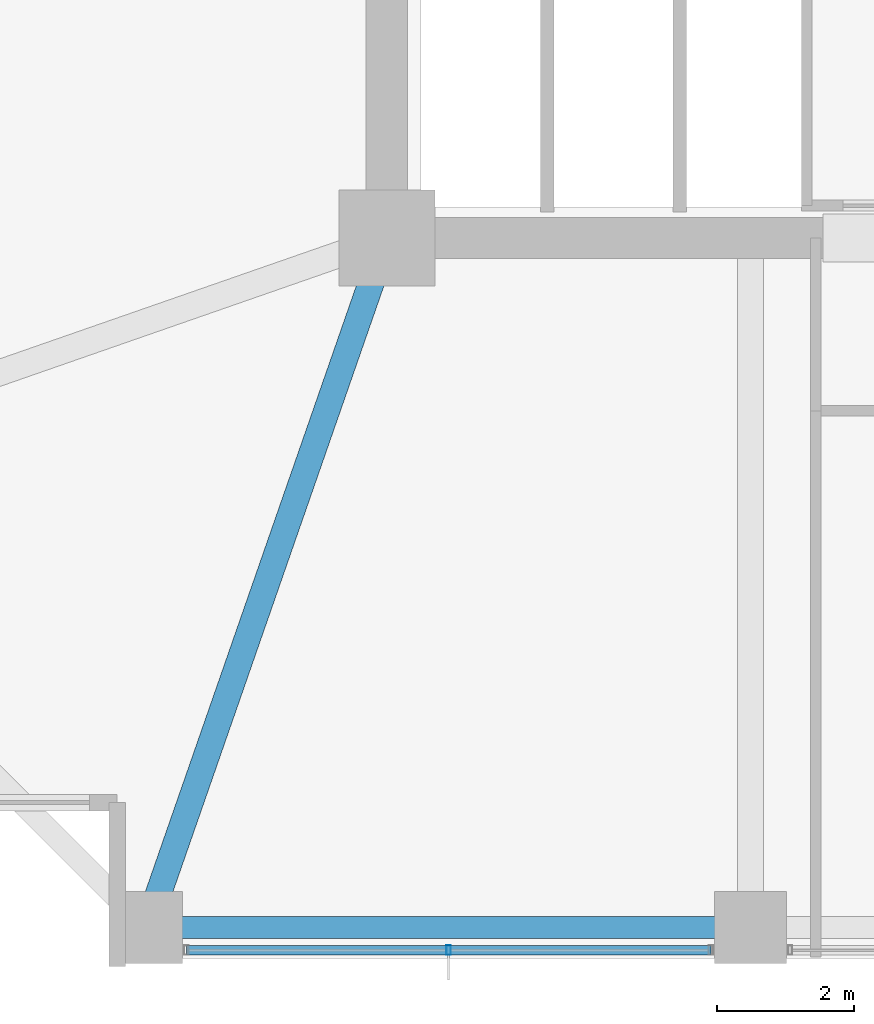
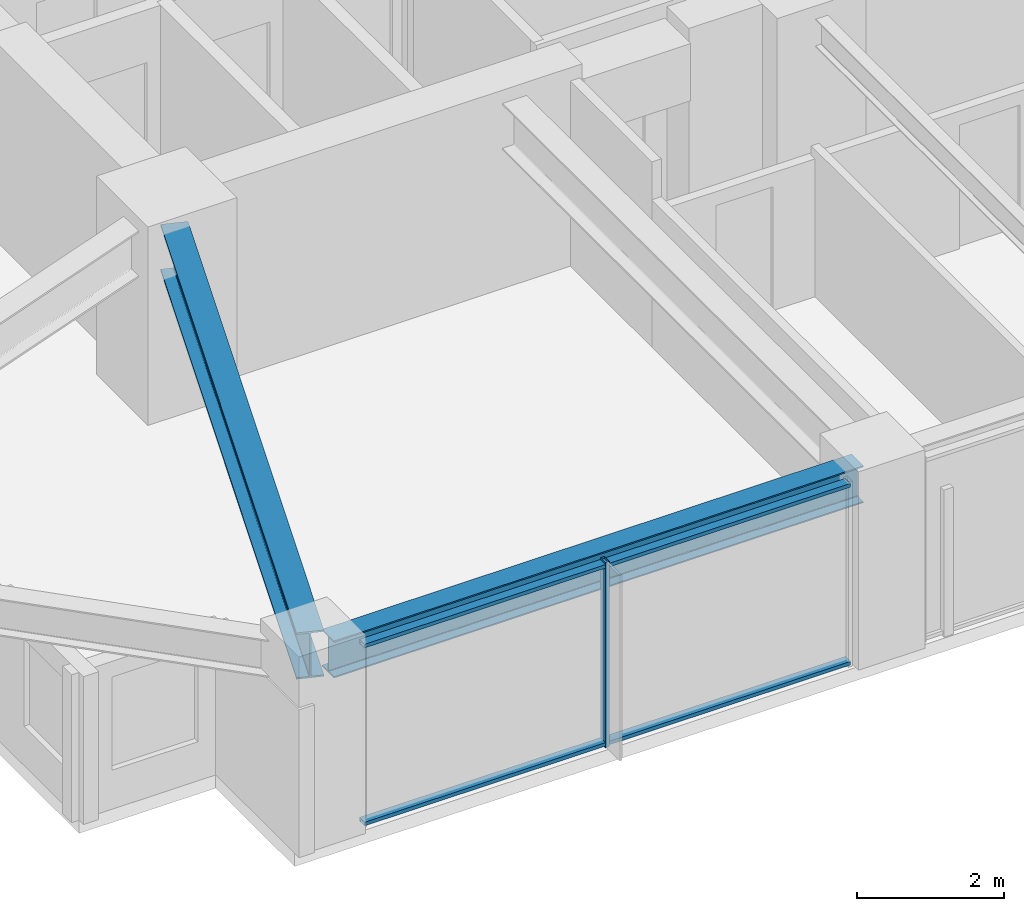
# One storey, part 3 of 36: 3 members, 2 beams, 1 element without a shape of its own.
"""IFC4 building model written with IfcOpenShell, lengths in metres."""

from ifc_helpers import new_model, si_unit, direction, frame, origin, origin_2d, place, context, subcontext, project, spatial, hollow_rectangle, i_section, extrude, material, material_profile, profile_set, type_object, element, aggregate, save


model = new_model("IFC4")

# Units and contexts
model_context = context("Model", 3, precision=1e-05, world=origin(), true_north=direction((0.0, 1.0)))
body_context = subcontext(model_context, "Body", "Model", "MODEL_VIEW")
ifc_project = project(units=[si_unit("LENGTHUNIT", "METRE"), si_unit("AREAUNIT", "SQUARE_METRE"), si_unit("VOLUMEUNIT", "CUBIC_METRE"), si_unit("PLANEANGLEUNIT", "RADIAN"), si_unit("MASSUNIT", "GRAM", prefix="KILO")], contexts=[model_context])

# Site, building, storey
site_placement = place(None, origin())
site = spatial("IfcSite", under=ifc_project, at=site_placement, CompositionType="ELEMENT")
building_placement = place(site_placement, origin())
building = spatial("IfcBuilding", under=site, at=building_placement, Name="Kolvaren Belvedere", CompositionType="ELEMENT")
storey_placement = place(building_placement, frame((0.0, 0.0, 92.0)))
storey = spatial("IfcBuildingStorey", under=building, at=storey_placement, Name="L26", CompositionType="ELEMENT", Elevation=92.0)

# Beams
ifc_material_1 = material(Name="Structural steel ASTM A992 Grade 50", Category="steel")
ifc_material_profile_1 = material_profile(ifc_material_1, i_section(OverallWidth=0.381103515625, OverallDepth=0.77294921875, WebThickness=0.0166015625, FlangeThickness=0.027099609375, FilletRadius=0.02392578125, at=origin_2d()), Name="W30X173")
ifc_profile_set_1 = profile_set([ifc_material_profile_1], Name="Structural steel ASTM A992 Grade 50")
beam_type_1 = type_object("IfcBeamType", Name="BM-GIRD-W30X173", PredefinedType="BEAM", material=ifc_profile_set_1)
beam_1_placement = place(storey_placement, frame((-10.080810546875, -10.41943359375, 2.693603515625), z_axis=(-0.328880894453, -0.944371408538, 0.0), x_axis=(0.944371408538, -0.328880894453, 0.0)))
element("IfcBeam", 1, at=beam_1_placement, inside=storey, type_object=beam_type_1, Name="L26 Corner Core-to-Perimeter Girder CC1-S1", PredefinedType="BEAM", context=body_context, shape_type="SweptSolid", body=[
    extrude(i_section(OverallWidth=0.381103515625, OverallDepth=0.77294921875, WebThickness=0.0166015625, FlangeThickness=0.027099609375, FilletRadius=0.02392578125, at=origin_2d()), origin(), (0.0, 0.0, 1.0), 9.882080078125),
])
ifc_material_2 = material(Name="Structural steel ASTM A992 Grade 50", Category="steel")
ifc_material_profile_2 = material_profile(ifc_material_2, i_section(OverallWidth=0.324951171875, OverallDepth=0.615966796875, WebThickness=0.013916015625, FlangeThickness=0.021484375, FilletRadius=0.02001953125, at=origin_2d()), Name="W24X117")
ifc_profile_set_2 = profile_set([ifc_material_profile_2], Name="Structural steel ASTM A992 Grade 50")
beam_type_2 = type_object("IfcBeamType", Name="BM-SPAN-W24X117", PredefinedType="SPANDREL", material=ifc_profile_set_2)
beam_2_placement = place(storey_placement, frame((-13.163818359375, -19.949951171875, 2.77197265625), z_axis=(1.0, 0.0, 0.0), x_axis=(0.0, 1.0, 0.0)))
element("IfcBeam", 2, at=beam_2_placement, inside=storey, type_object=beam_type_2, Name="L26 Perimeter Spandrel S1-S2", PredefinedType="SPANDREL", context=body_context, shape_type="SweptSolid", body=[
    extrude(i_section(OverallWidth=0.324951171875, OverallDepth=0.615966796875, WebThickness=0.013916015625, FlangeThickness=0.021484375, FilletRadius=0.02001953125, at=origin_2d()), origin(), (0.0, 0.0, 1.0), 8.32763671875),
])

# Curtain wall, members
ifc_material_3 = material(Name="Anodised pale-metal aluminium AA 6063-T6", Category="aluminium")
curtain_wall_type = type_object("IfcCurtainWallType", Name="CW-Z2-MID", PredefinedType="NOTDEFINED", material=ifc_material_3)
curtain_wall_placement = place(storey_placement, origin())
curtain_wall = element("IfcCurtainWall", 3, at=curtain_wall_placement, inside=storey, type_object=curtain_wall_type, Name="L26 Unitised Curtain Wall FCW-L26-S-B3", PredefinedType="NOTDEFINED")
ifc_material_4 = material(Name="Anodised pale-metal aluminium AA 6063-T6", Category="aluminium")
ifc_material_profile_3 = material_profile(ifc_material_4, hollow_rectangle(XDim=0.06494140625, YDim=0.139892578125, WallThickness=0.00390625, at=origin_2d()), Name="ALU-MUL-140X65")
ifc_profile_set_3 = profile_set([ifc_material_profile_3], Name="Anodised pale-metal aluminium AA 6063-T6")
member_type_1 = type_object("IfcMemberType", Name="CW-MUL-140", PredefinedType="MULLION", material=ifc_profile_set_3)
member_1_placement = place(storey_placement, frame((-9.0, -20.280029296875, 0.0), z_axis=(0.0, 0.0, 1.0), x_axis=(1.0, 0.0, 0.0)))
member_1 = element("IfcMember", 4, at=member_1_placement, type_object=member_type_1, Name="FCW-L26-S-B3 Unitised Mullion 2", PredefinedType="MULLION", context=body_context, shape_type="SweptSolid", body=[
    extrude(hollow_rectangle(XDim=0.06494140625, YDim=0.139892578125, WallThickness=0.00390625, at=origin_2d()), origin(), (0.0, 0.0, 1.0), 3.080078125),
])
ifc_material_5 = material(Name="Anodised pale-metal aluminium AA 6063-T6", Category="aluminium")
ifc_material_profile_4 = material_profile(ifc_material_5, hollow_rectangle(XDim=0.06005859375, YDim=0.139892578125, WallThickness=0.00390625, at=origin_2d()), Name="ALU-TRN-140X60")
ifc_profile_set_4 = profile_set([ifc_material_profile_4], Name="Anodised pale-metal aluminium AA 6063-T6")
member_type_2 = type_object("IfcMemberType", Name="CW-TRN-140", PredefinedType="USERDEFINED", material=ifc_profile_set_4)
member_2_placement = place(storey_placement, frame((-5.177490234375, -20.280029296875, 0.06005859375), z_axis=(-1.0, 0.0, 0.0), x_axis=(0.0, 0.0, 1.0)))
member_2 = element("IfcMember", 5, at=member_2_placement, type_object=member_type_2, Name="FCW-L26-S-B3 Sill Transom", ObjectType="TRANSOM", PredefinedType="USERDEFINED", context=body_context, shape_type="SweptSolid", body=[
    extrude(hollow_rectangle(XDim=0.06005859375, YDim=0.139892578125, WallThickness=0.00390625, at=origin_2d()), origin(), (0.0, 0.0, 1.0), 7.64501953125),
])
member_3_placement = place(storey_placement, frame((-5.177490234375, -20.280029296875, 3.02001953125), z_axis=(-1.0, 0.0, 0.0), x_axis=(0.0, 0.0, 1.0)))
member_3 = element("IfcMember", 6, at=member_3_placement, type_object=member_type_2, Name="FCW-L26-S-B3 Head Transom", ObjectType="TRANSOM", PredefinedType="USERDEFINED", context=body_context, shape_type="SweptSolid", body=[
    extrude(hollow_rectangle(XDim=0.06005859375, YDim=0.139892578125, WallThickness=0.00390625, at=origin_2d()), origin(), (0.0, 0.0, 1.0), 7.64501953125),
])
aggregate(curtain_wall, [member_1, member_2, member_3])

save(model, "model.ifc")
